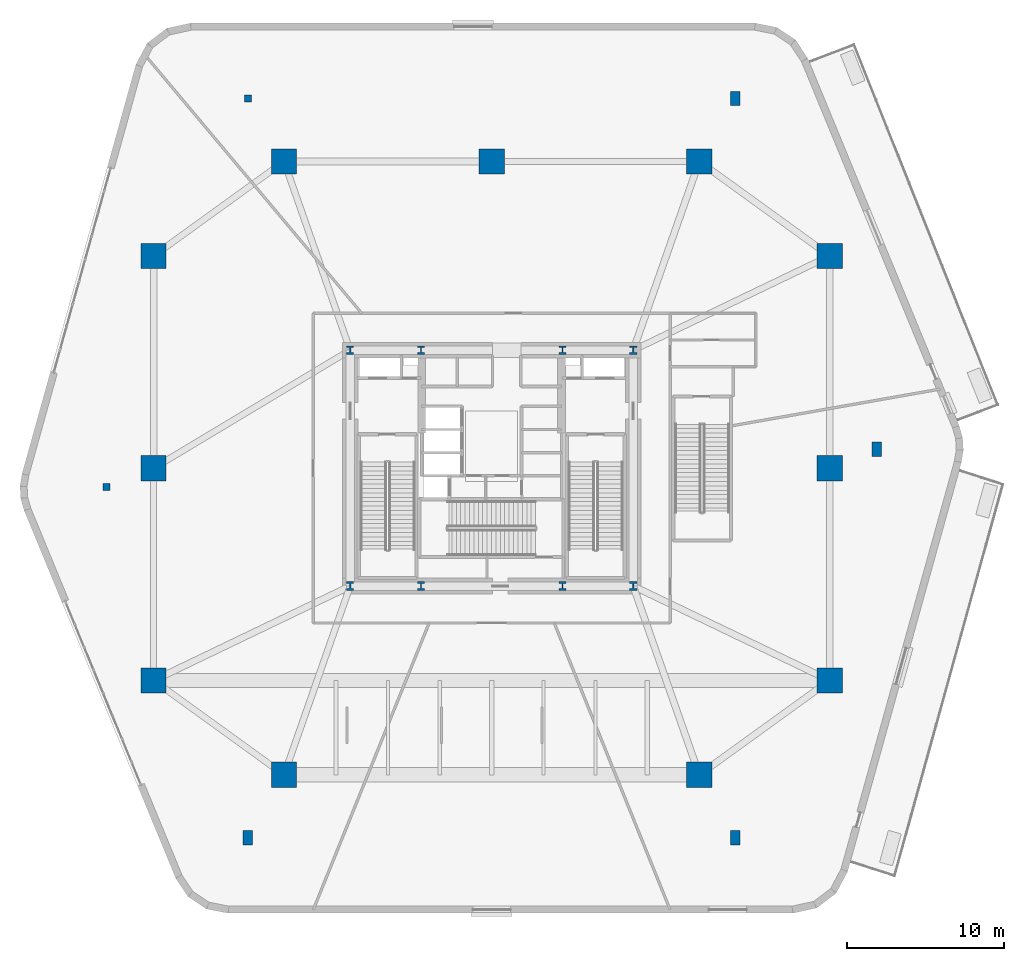
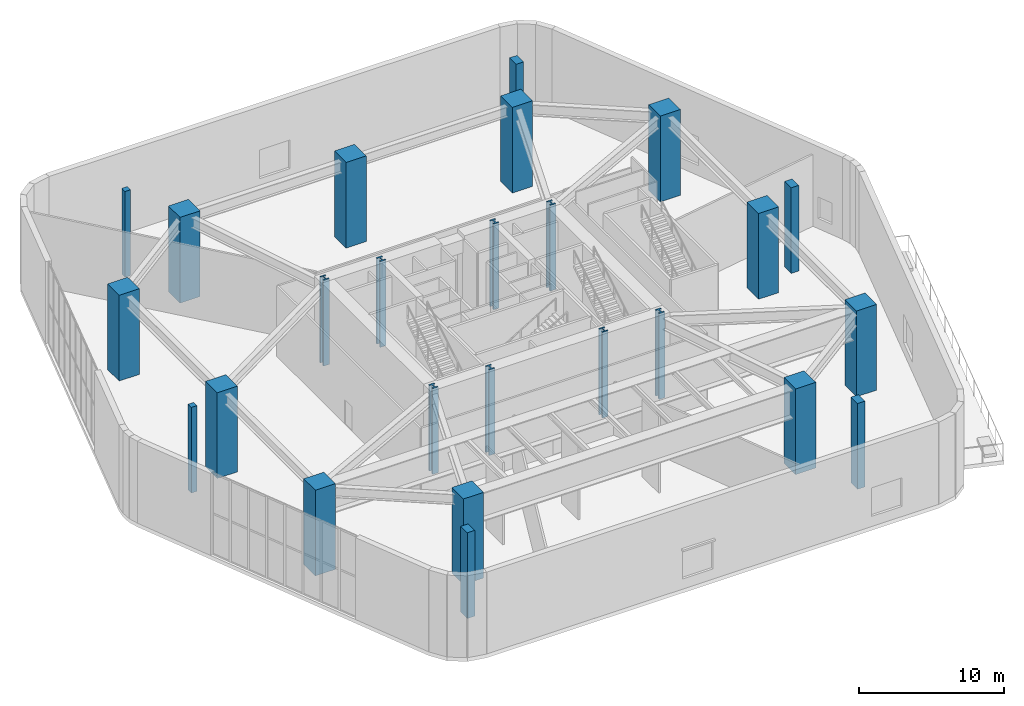
# One storey, part 1 of 17: 25 columns.
"""IFC4 building model written with IfcOpenShell, lengths in metres."""

from ifc_helpers import new_model, si_unit, direction, frame, origin, origin_2d, place, context, subcontext, project, spatial, rectangle, i_section, extrude, material, material_profile, profile_set, type_object, element, save


model = new_model("IFC4")

# Units and contexts
model_context = context("Model", 3, precision=1e-05, world=origin(), true_north=direction((0.0, 1.0)))
body_context = subcontext(model_context, "Body", "Model", "MODEL_VIEW")
ifc_project = project(units=[si_unit("LENGTHUNIT", "METRE"), si_unit("AREAUNIT", "SQUARE_METRE"), si_unit("VOLUMEUNIT", "CUBIC_METRE"), si_unit("PLANEANGLEUNIT", "RADIAN"), si_unit("MASSUNIT", "GRAM", prefix="KILO")], contexts=[model_context])

# Site, building, storey
site_placement = place(None, origin())
site = spatial("IfcSite", under=ifc_project, at=site_placement, CompositionType="ELEMENT")
building_placement = place(site_placement, origin())
building = spatial("IfcBuilding", under=site, at=building_placement, Name="Kilnhurst Terrace Hotel", CompositionType="ELEMENT")
storey_placement = place(building_placement, frame((0.0, 0.0, 11.39990234375)))
storey = spatial("IfcBuildingStorey", under=building, at=storey_placement, Name="L02", CompositionType="ELEMENT", Elevation=11.39990234375)

# Columns
ifc_material_1 = material(Name="Concrete C80/95", Category="concrete")
ifc_material_profile_1 = material_profile(ifc_material_1, rectangle(XDim=1.60009765625, YDim=1.60009765625, at=origin_2d()), Name="RC1600X1600")
ifc_profile_set_1 = profile_set([ifc_material_profile_1], Name="Concrete C80/95")
column_type_1 = type_object("IfcColumnType", Name="COL-RC-1600", PredefinedType="COLUMN", material=ifc_profile_set_1)
for number, where, z_axis, x_axis, name in (
    (1, (-21.5, -13.5, 0.0), (0.0, 0.0, 1.0), (1.0, 0.0, 0.0), "L02 Structural Column MC-W1"),
    (2, (-21.5, 0.0, 0.0), (0.0, 0.0, 1.0), (1.0, 0.0, 0.0), "L02 Structural Column MC-W2"),
    (3, (-21.5, 13.5, 0.0), (0.0, 0.0, 1.0), (1.0, 0.0, 0.0), "L02 Structural Column MC-W3"),
    (4, (21.5, -13.5, 0.0), (0.0, 0.0, 1.0), (1.0, 0.0, 0.0), "L02 Structural Column MC-E1"),
    (5, (21.5, 0.0, 0.0), (0.0, 0.0, 1.0), (1.0, 0.0, 0.0), "L02 Structural Column MC-E2"),
    (6, (21.5, 13.5, 0.0), (0.0, 0.0, 1.0), (1.0, 0.0, 0.0), "L02 Structural Column MC-E3"),
    (7, (-13.199951171875, -19.5, 0.0), (0.0, 0.0, 1.0), (1.0, 0.0, 0.0), "L02 Structural Column MC-S1"),
    (8, (13.199951171875, -19.5, 0.0), (0.0, 0.0, 1.0), (1.0, 0.0, 0.0), "L02 Structural Column MC-S2"),
    (9, (-13.199951171875, 19.5, 0.0), (0.0, 0.0, 1.0), (1.0, 0.0, 0.0), "L02 Structural Column MC-N1"),
    (10, (0.0, 19.5, 0.0), (0.0, 0.0, 1.0), (1.0, 0.0, 0.0), "L02 Structural Column MC-N2"),
    (11, (13.199951171875, 19.5, 0.0), (0.0, 0.0, 1.0), (1.0, 0.0, 0.0), "L02 Structural Column MC-N3"),
):
    element("IfcColumn", number, at=place(storey_placement, frame(where, z_axis=z_axis, x_axis=x_axis)), inside=storey, type_object=column_type_1, Name=name, PredefinedType="COLUMN", context=body_context, shape_type="SweptSolid", body=[
        extrude(rectangle(XDim=1.60009765625, YDim=1.60009765625, at=origin_2d()), origin(), (0.0, 0.0, 1.0), 7.2001953125),
    ])
ifc_material_2 = material(Name="Steel ASTM A992 Grade 50", Category="steel")
ifc_material_profile_2 = material_profile(ifc_material_2, i_section(OverallWidth=0.454345703125, OverallDepth=0.569091796875, WebThickness=0.077880859375, FlangeThickness=0.124755859375, at=origin_2d()), Name="W14X730")
ifc_profile_set_2 = profile_set([ifc_material_profile_2], Name="Steel ASTM A992 Grade 50")
column_type_2 = type_object("IfcColumnType", Name="COL-STL-W14X730", PredefinedType="COLUMN", material=ifc_profile_set_2)
for number, where, z_axis, x_axis, name in (
    (12, (-9.0, -7.5, 0.0), (0.0, 0.0, 1.0), (1.0, 0.0, 0.0), "L02 Structural Column CC-SW"),
    (13, (-4.5, -7.5, 0.0), (0.0, 0.0, 1.0), (1.0, 0.0, 0.0), "L02 Structural Column CC-SC1"),
    (14, (4.5, -7.5, 0.0), (0.0, 0.0, 1.0), (1.0, 0.0, 0.0), "L02 Structural Column CC-SC2"),
    (15, (9.0, -7.5, 0.0), (0.0, 0.0, 1.0), (1.0, 0.0, 0.0), "L02 Structural Column CC-SE"),
    (16, (9.0, 7.5, 0.0), (0.0, 0.0, 1.0), (1.0, 0.0, 0.0), "L02 Structural Column CC-NE"),
    (17, (4.5, 7.5, 0.0), (0.0, 0.0, 1.0), (1.0, 0.0, 0.0), "L02 Structural Column CC-NC2"),
    (18, (-4.5, 7.5, 0.0), (0.0, 0.0, 1.0), (1.0, 0.0, 0.0), "L02 Structural Column CC-NC1"),
    (19, (-9.0, 7.5, 0.0), (0.0, 0.0, 1.0), (1.0, 0.0, 0.0), "L02 Structural Column CC-NW"),
):
    element("IfcColumn", number, at=place(storey_placement, frame(where, z_axis=z_axis, x_axis=x_axis)), inside=storey, type_object=column_type_2, Name=name, PredefinedType="COLUMN", context=body_context, shape_type="SweptSolid", body=[
        extrude(i_section(OverallWidth=0.454345703125, OverallDepth=0.569091796875, WebThickness=0.077880859375, FlangeThickness=0.124755859375, at=origin_2d()), origin(), (0.0, 0.0, 1.0), 7.2001953125),
    ])
ifc_material_3 = material(Name="Concrete C50/60", Category="concrete")
ifc_material_profile_3 = material_profile(ifc_material_3, rectangle(XDim=0.449951171875, YDim=0.449951171875, at=origin_2d()), Name="RC450X450")
ifc_profile_set_3 = profile_set([ifc_material_profile_3], Name="Concrete C50/60")
column_type_3 = type_object("IfcColumnType", Name="PIL-RC-450X450", PredefinedType="PILASTER", material=ifc_profile_set_3)
for number, where, z_axis, x_axis, name in (
    (20, (-15.5, 23.5, 0.0), (0.0, 0.0, 1.0), (1.0, 0.0, 0.0), "L02 Continuous Structural Pilaster PIL5"),
    (21, (-24.5, -1.199951171875, 0.0), (0.0, 0.0, 1.0), (1.0, 0.0, 0.0), "L02 Continuous Structural Pilaster PIL6"),
):
    element("IfcColumn", number, at=place(storey_placement, frame(where, z_axis=z_axis, x_axis=x_axis)), inside=storey, type_object=column_type_3, Name=name, PredefinedType="PILASTER", context=body_context, shape_type="SweptSolid", body=[
        extrude(rectangle(XDim=0.449951171875, YDim=0.449951171875, at=origin_2d()), origin(), (0.0, 0.0, 1.0), 7.2001953125),
    ])
ifc_material_4 = material(Name="Concrete C60/75", Category="concrete")
ifc_material_profile_4 = material_profile(ifc_material_4, rectangle(XDim=0.60009765625, YDim=0.89990234375, at=origin_2d()), Name="RC600X900")
ifc_profile_set_4 = profile_set([ifc_material_profile_4], Name="Concrete C60/75")
column_type_4 = type_object("IfcColumnType", Name="PIL-RC-600X900", PredefinedType="PILASTER", material=ifc_profile_set_4)
for number, where, z_axis, x_axis, name in (
    (22, (-15.5, -23.5, 0.0), (0.0, 0.0, 1.0), (1.0, 0.0, 0.0), "L02 Continuous Structural Pilaster PIL1"),
    (23, (15.5, -23.5, 0.0), (0.0, 0.0, 1.0), (1.0, 0.0, 0.0), "L02 Continuous Structural Pilaster PIL2"),
    (24, (24.5, 1.199951171875, 0.0), (0.0, 0.0, 1.0), (1.0, 0.0, 0.0), "L02 Continuous Structural Pilaster PIL3"),
    (25, (15.5, 23.5, 0.0), (0.0, 0.0, 1.0), (1.0, 0.0, 0.0), "L02 Continuous Structural Pilaster PIL4"),
):
    element("IfcColumn", number, at=place(storey_placement, frame(where, z_axis=z_axis, x_axis=x_axis)), inside=storey, type_object=column_type_4, Name=name, PredefinedType="PILASTER", context=body_context, shape_type="SweptSolid", body=[
        extrude(rectangle(XDim=0.60009765625, YDim=0.89990234375, at=origin_2d()), origin(), (0.0, 0.0, 1.0), 7.2001953125),
    ])

save(model, "model.ifc")
